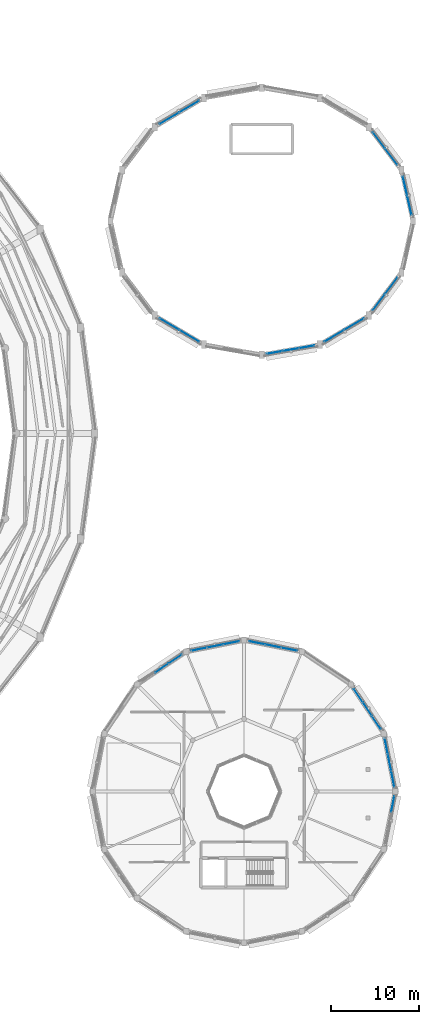
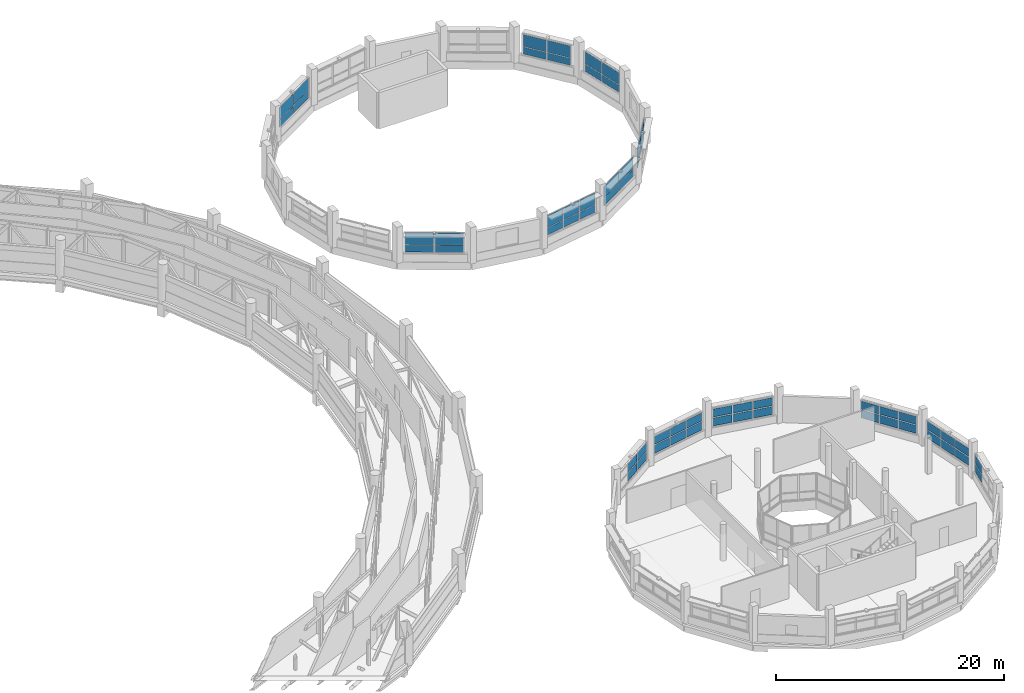
# One storey, part 95 of 121: 60 plates, 13 elements without a shape of their own.
"""IFC4 building model written with IfcOpenShell, lengths in metres."""

from ifc_helpers import new_model, si_unit, direction, frame, origin, origin_2d, place, context, subcontext, project, spatial, rectangle, extrude, material, layer, layer_set, type_object, element, aggregate, save


model = new_model("IFC4")

# Units and contexts
model_context = context("Model", 3, precision=1e-05, world=origin(), true_north=direction((0.0, 1.0)))
body_context = subcontext(model_context, "Body", "Model", "MODEL_VIEW")
ifc_project = project(units=[si_unit("LENGTHUNIT", "METRE"), si_unit("AREAUNIT", "SQUARE_METRE"), si_unit("VOLUMEUNIT", "CUBIC_METRE"), si_unit("PLANEANGLEUNIT", "RADIAN"), si_unit("MASSUNIT", "GRAM", prefix="KILO")], contexts=[model_context])

# Site, building, storey
site_placement = place(None, origin())
site = spatial("IfcSite", under=ifc_project, at=site_placement, CompositionType="ELEMENT")
building_placement = place(site_placement, origin())
building = spatial("IfcBuilding", under=site, at=building_placement, Name="Vespera Passage Community Centre", CompositionType="ELEMENT")
storey_placement = place(building_placement, frame((0.0, 0.0, 8.699951171875)))
storey = spatial("IfcBuildingStorey", under=building, at=storey_placement, Name="L02", CompositionType="ELEMENT", Elevation=8.699951171875)

# Curtain wall, plates
ifc_material_1 = material(Name="Anodized aluminium 6063-T6", Category="aluminium")
ifc_layer_1 = layer(ifc_material_1, 0.159912109375)
ifc_layer_set_1 = layer_set([ifc_layer_1], Name="Anodized aluminium 6063-T6")
curtain_wall_type_1 = type_object("IfcCurtainWallType", Name="CW-108E", PredefinedType="NOTDEFINED", material=ifc_layer_set_1)
curtain_wall_1_placement = place(storey_placement, origin())
curtain_wall_1 = element("IfcCurtainWall", 1, at=curtain_wall_1_placement, inside=storey, type_object=curtain_wall_type_1, Name="Dining Drum Ribbon Curtain Wall L02.1", PredefinedType="NOTDEFINED")
ifc_material_2 = material(Name="Low-E insulated vision glass", Category="glass")
ifc_layer_2 = layer(ifc_material_2, 0.02001953125)
ifc_layer_set_2 = layer_set([ifc_layer_2], Name="Low-E insulated vision glass")
plate_type_1 = type_object("IfcPlateType", Name="PL-CWP-20E", PredefinedType="CURTAIN_PANEL", material=ifc_layer_set_2)
plate_1_placement = place(storey_placement, frame((157.084228515625, 30.1064453125, 0.900146484375), z_axis=(0.0, 0.0, 1.0), x_axis=(0.195096778691, -0.980783996069, 0.0)))
plate_1 = element("IfcPlate", 2, at=plate_1_placement, type_object=plate_type_1, Name="CW-108E panel 1.1", PredefinedType="CURTAIN_PANEL", context=body_context, shape_type="SweptSolid", body=[
    extrude(rectangle(XDim=1.789306640625, YDim=0.02001953125, at=origin_2d()), origin(), (0.0, 0.0, 1.0), 0.857421875),
])
plate_2_placement = place(storey_placement, frame((157.084228515625, 30.1064453125, 1.857666015625), z_axis=(0.0, 0.0, 1.0), x_axis=(0.195096778691, -0.980783996069, 0.0)))
plate_2 = element("IfcPlate", 3, at=plate_2_placement, type_object=plate_type_1, Name="CW-108E panel 1.2", PredefinedType="CURTAIN_PANEL", context=body_context, shape_type="SweptSolid", body=[
    extrude(rectangle(XDim=1.789306640625, YDim=0.02001953125, at=origin_2d()), origin(), (0.0, 0.0, 1.0), 0.857421875),
])
plate_3_placement = place(storey_placement, frame((157.44921875, 28.27197265625, 0.900146484375), z_axis=(0.0, 0.0, 1.0), x_axis=(0.195096778691, -0.980783996069, 0.0)))
plate_3 = element("IfcPlate", 4, at=plate_3_placement, type_object=plate_type_1, Name="CW-108E panel 2.1", PredefinedType="CURTAIN_PANEL", context=body_context, shape_type="SweptSolid", body=[
    extrude(rectangle(XDim=1.82177734375, YDim=0.02001953125, at=origin_2d()), origin(), (0.0, 0.0, 1.0), 0.857421875),
])
plate_4_placement = place(storey_placement, frame((157.44921875, 28.27197265625, 1.857666015625), z_axis=(0.0, 0.0, 1.0), x_axis=(0.195096778691, -0.980783996069, 0.0)))
plate_4 = element("IfcPlate", 5, at=plate_4_placement, type_object=plate_type_1, Name="CW-108E panel 2.2", PredefinedType="CURTAIN_PANEL", context=body_context, shape_type="SweptSolid", body=[
    extrude(rectangle(XDim=1.82177734375, YDim=0.02001953125, at=origin_2d()), origin(), (0.0, 0.0, 1.0), 0.857421875),
])
plate_5_placement = place(storey_placement, frame((157.81396484375, 26.4375, 0.900146484375), z_axis=(0.0, 0.0, 1.0), x_axis=(0.195096778691, -0.980783996069, 0.0)))
plate_5 = element("IfcPlate", 6, at=plate_5_placement, type_object=plate_type_1, Name="CW-108E panel 3.1", PredefinedType="CURTAIN_PANEL", context=body_context, shape_type="SweptSolid", body=[
    extrude(rectangle(XDim=1.789306640625, YDim=0.02001953125, at=origin_2d()), origin(), (0.0, 0.0, 1.0), 0.857421875),
])
plate_6_placement = place(storey_placement, frame((157.81396484375, 26.4375, 1.857666015625), z_axis=(0.0, 0.0, 1.0), x_axis=(0.195096778691, -0.980783996069, 0.0)))
plate_6 = element("IfcPlate", 7, at=plate_6_placement, type_object=plate_type_1, Name="CW-108E panel 3.2", PredefinedType="CURTAIN_PANEL", context=body_context, shape_type="SweptSolid", body=[
    extrude(rectangle(XDim=1.789306640625, YDim=0.02001953125, at=origin_2d()), origin(), (0.0, 0.0, 1.0), 0.857421875),
])
aggregate(curtain_wall_1, [plate_1, plate_2, plate_3, plate_4, plate_5, plate_6])

ifc_material_3 = material(Name="Anodized aluminium 6063-T6", Category="aluminium")
ifc_layer_3 = layer(ifc_material_3, 0.159912109375)
ifc_layer_set_3 = layer_set([ifc_layer_3], Name="Anodized aluminium 6063-T6")
curtain_wall_type_2 = type_object("IfcCurtainWallType", Name="CW-109E", PredefinedType="NOTDEFINED", material=ifc_layer_set_3)
curtain_wall_2_placement = place(storey_placement, origin())
curtain_wall_2 = element("IfcCurtainWall", 8, at=curtain_wall_2_placement, inside=storey, type_object=curtain_wall_type_2, Name="Dining Drum Ribbon Curtain Wall L02.2", PredefinedType="NOTDEFINED")
plate_7_placement = place(storey_placement, frame((153.926025390625, 35.842529296875, 0.900146484375), z_axis=(0.0, 0.0, 1.0), x_axis=(0.555564700918, -0.831473308708, 0.0)))
plate_7 = element("IfcPlate", 9, at=plate_7_placement, type_object=plate_type_1, Name="CW-109E panel 1.1", PredefinedType="CURTAIN_PANEL", context=body_context, shape_type="SweptSolid", body=[
    extrude(rectangle(XDim=1.752685546875, YDim=0.02001953125, at=origin_2d()), origin(), (0.0, 0.0, 1.0), 0.857421875),
])
plate_8_placement = place(storey_placement, frame((153.926025390625, 35.842529296875, 1.857666015625), z_axis=(0.0, 0.0, 1.0), x_axis=(0.555564700918, -0.831473308708, 0.0)))
plate_8 = element("IfcPlate", 10, at=plate_8_placement, type_object=plate_type_1, Name="CW-109E panel 1.2", PredefinedType="CURTAIN_PANEL", context=body_context, shape_type="SweptSolid", body=[
    extrude(rectangle(XDim=1.752685546875, YDim=0.02001953125, at=origin_2d()), origin(), (0.0, 0.0, 1.0), 0.857421875),
])
plate_9_placement = place(storey_placement, frame((154.94482421875, 34.317626953125, 0.900146484375), z_axis=(0.0, 0.0, 1.0), x_axis=(0.555564700918, -0.831473308708, 0.0)))
plate_9 = element("IfcPlate", 11, at=plate_9_placement, type_object=plate_type_1, Name="CW-109E panel 2.1", PredefinedType="CURTAIN_PANEL", context=body_context, shape_type="SweptSolid", body=[
    extrude(rectangle(XDim=1.78515625, YDim=0.02001953125, at=origin_2d()), origin(), (0.0, 0.0, 1.0), 0.857421875),
])
plate_10_placement = place(storey_placement, frame((154.94482421875, 34.317626953125, 1.857666015625), z_axis=(0.0, 0.0, 1.0), x_axis=(0.555564700918, -0.831473308708, 0.0)))
plate_10 = element("IfcPlate", 12, at=plate_10_placement, type_object=plate_type_1, Name="CW-109E panel 2.2", PredefinedType="CURTAIN_PANEL", context=body_context, shape_type="SweptSolid", body=[
    extrude(rectangle(XDim=1.78515625, YDim=0.02001953125, at=origin_2d()), origin(), (0.0, 0.0, 1.0), 0.857421875),
])
plate_11_placement = place(storey_placement, frame((155.963623046875, 32.79296875, 0.900146484375), z_axis=(0.0, 0.0, 1.0), x_axis=(0.555564700918, -0.831473308708, 0.0)))
plate_11 = element("IfcPlate", 13, at=plate_11_placement, type_object=plate_type_1, Name="CW-109E panel 3.1", PredefinedType="CURTAIN_PANEL", context=body_context, shape_type="SweptSolid", body=[
    extrude(rectangle(XDim=1.752685546875, YDim=0.02001953125, at=origin_2d()), origin(), (0.0, 0.0, 1.0), 0.857421875),
])
plate_12_placement = place(storey_placement, frame((155.963623046875, 32.79296875, 1.857666015625), z_axis=(0.0, 0.0, 1.0), x_axis=(0.555564700918, -0.831473308708, 0.0)))
plate_12 = element("IfcPlate", 14, at=plate_12_placement, type_object=plate_type_1, Name="CW-109E panel 3.2", PredefinedType="CURTAIN_PANEL", context=body_context, shape_type="SweptSolid", body=[
    extrude(rectangle(XDim=1.752685546875, YDim=0.02001953125, at=origin_2d()), origin(), (0.0, 0.0, 1.0), 0.857421875),
])
aggregate(curtain_wall_2, [plate_7, plate_8, plate_9, plate_10, plate_11, plate_12])

curtain_wall_3_placement = place(storey_placement, origin())
curtain_wall_3 = element("IfcCurtainWall", 15, at=curtain_wall_3_placement, inside=storey, type_object=curtain_wall_type_1, Name="Dining Drum Ribbon Curtain Wall L02.4", PredefinedType="NOTDEFINED")
plate_13_placement = place(storey_placement, frame((142.4375, 41.81396484375, 0.900146484375), z_axis=(0.0, 0.0, 1.0), x_axis=(0.980783996069, -0.195096778691, 0.0)))
plate_13 = element("IfcPlate", 16, at=plate_13_placement, type_object=plate_type_1, Name="CW-108E panel 1.1", PredefinedType="CURTAIN_PANEL", context=body_context, shape_type="SweptSolid", body=[
    extrude(rectangle(XDim=1.789306640625, YDim=0.02001953125, at=origin_2d()), origin(), (0.0, 0.0, 1.0), 0.857421875),
])
plate_14_placement = place(storey_placement, frame((142.4375, 41.81396484375, 1.857666015625), z_axis=(0.0, 0.0, 1.0), x_axis=(0.980783996069, -0.195096778691, 0.0)))
plate_14 = element("IfcPlate", 17, at=plate_14_placement, type_object=plate_type_1, Name="CW-108E panel 1.2", PredefinedType="CURTAIN_PANEL", context=body_context, shape_type="SweptSolid", body=[
    extrude(rectangle(XDim=1.789306640625, YDim=0.02001953125, at=origin_2d()), origin(), (0.0, 0.0, 1.0), 0.857421875),
])
plate_15_placement = place(storey_placement, frame((144.27197265625, 41.44921875, 0.900146484375), z_axis=(0.0, 0.0, 1.0), x_axis=(0.980783996069, -0.195096778691, 0.0)))
plate_15 = element("IfcPlate", 18, at=plate_15_placement, type_object=plate_type_1, Name="CW-108E panel 2.1", PredefinedType="CURTAIN_PANEL", context=body_context, shape_type="SweptSolid", body=[
    extrude(rectangle(XDim=1.82177734375, YDim=0.02001953125, at=origin_2d()), origin(), (0.0, 0.0, 1.0), 0.857421875),
])
plate_16_placement = place(storey_placement, frame((144.27197265625, 41.44921875, 1.857666015625), z_axis=(0.0, 0.0, 1.0), x_axis=(0.980783996069, -0.195096778691, 0.0)))
plate_16 = element("IfcPlate", 19, at=plate_16_placement, type_object=plate_type_1, Name="CW-108E panel 2.2", PredefinedType="CURTAIN_PANEL", context=body_context, shape_type="SweptSolid", body=[
    extrude(rectangle(XDim=1.82177734375, YDim=0.02001953125, at=origin_2d()), origin(), (0.0, 0.0, 1.0), 0.857421875),
])
plate_17_placement = place(storey_placement, frame((146.1064453125, 41.084228515625, 0.900146484375), z_axis=(0.0, 0.0, 1.0), x_axis=(0.980783996069, -0.195096778691, 0.0)))
plate_17 = element("IfcPlate", 20, at=plate_17_placement, type_object=plate_type_1, Name="CW-108E panel 3.1", PredefinedType="CURTAIN_PANEL", context=body_context, shape_type="SweptSolid", body=[
    extrude(rectangle(XDim=1.789306640625, YDim=0.02001953125, at=origin_2d()), origin(), (0.0, 0.0, 1.0), 0.857421875),
])
plate_18_placement = place(storey_placement, frame((146.1064453125, 41.084228515625, 1.857666015625), z_axis=(0.0, 0.0, 1.0), x_axis=(0.980783996069, -0.195096778691, 0.0)))
plate_18 = element("IfcPlate", 21, at=plate_18_placement, type_object=plate_type_1, Name="CW-108E panel 3.2", PredefinedType="CURTAIN_PANEL", context=body_context, shape_type="SweptSolid", body=[
    extrude(rectangle(XDim=1.789306640625, YDim=0.02001953125, at=origin_2d()), origin(), (0.0, 0.0, 1.0), 0.857421875),
])
aggregate(curtain_wall_3, [plate_13, plate_14, plate_15, plate_16, plate_17, plate_18])

curtain_wall_4_placement = place(storey_placement, origin())
curtain_wall_4 = element("IfcCurtainWall", 22, at=curtain_wall_4_placement, inside=storey, type_object=curtain_wall_type_1, Name="Dining Drum Ribbon Curtain Wall L02.5", PredefinedType="NOTDEFINED")
plate_19_placement = place(storey_placement, frame((135.8935546875, 41.084228515625, 0.900146484375), z_axis=(0.0, 0.0, 1.0), x_axis=(0.980783996069, 0.195096778691, 0.0)))
plate_19 = element("IfcPlate", 23, at=plate_19_placement, type_object=plate_type_1, Name="CW-108E panel 1.1", PredefinedType="CURTAIN_PANEL", context=body_context, shape_type="SweptSolid", body=[
    extrude(rectangle(XDim=1.789306640625, YDim=0.02001953125, at=origin_2d()), origin(), (0.0, 0.0, 1.0), 0.857421875),
])
plate_20_placement = place(storey_placement, frame((135.8935546875, 41.084228515625, 1.857666015625), z_axis=(0.0, 0.0, 1.0), x_axis=(0.980783996069, 0.195096778691, 0.0)))
plate_20 = element("IfcPlate", 24, at=plate_20_placement, type_object=plate_type_1, Name="CW-108E panel 1.2", PredefinedType="CURTAIN_PANEL", context=body_context, shape_type="SweptSolid", body=[
    extrude(rectangle(XDim=1.789306640625, YDim=0.02001953125, at=origin_2d()), origin(), (0.0, 0.0, 1.0), 0.857421875),
])
plate_21_placement = place(storey_placement, frame((137.72802734375, 41.44921875, 0.900146484375), z_axis=(0.0, 0.0, 1.0), x_axis=(0.980783996069, 0.195096778691, 0.0)))
plate_21 = element("IfcPlate", 25, at=plate_21_placement, type_object=plate_type_1, Name="CW-108E panel 2.1", PredefinedType="CURTAIN_PANEL", context=body_context, shape_type="SweptSolid", body=[
    extrude(rectangle(XDim=1.82177734375, YDim=0.02001953125, at=origin_2d()), origin(), (0.0, 0.0, 1.0), 0.857421875),
])
plate_22_placement = place(storey_placement, frame((137.72802734375, 41.44921875, 1.857666015625), z_axis=(0.0, 0.0, 1.0), x_axis=(0.980783996069, 0.195096778691, 0.0)))
plate_22 = element("IfcPlate", 26, at=plate_22_placement, type_object=plate_type_1, Name="CW-108E panel 2.2", PredefinedType="CURTAIN_PANEL", context=body_context, shape_type="SweptSolid", body=[
    extrude(rectangle(XDim=1.82177734375, YDim=0.02001953125, at=origin_2d()), origin(), (0.0, 0.0, 1.0), 0.857421875),
])
plate_23_placement = place(storey_placement, frame((139.5625, 41.81396484375, 0.900146484375), z_axis=(0.0, 0.0, 1.0), x_axis=(0.980783996069, 0.195096778691, 0.0)))
plate_23 = element("IfcPlate", 27, at=plate_23_placement, type_object=plate_type_1, Name="CW-108E panel 3.1", PredefinedType="CURTAIN_PANEL", context=body_context, shape_type="SweptSolid", body=[
    extrude(rectangle(XDim=1.789306640625, YDim=0.02001953125, at=origin_2d()), origin(), (0.0, 0.0, 1.0), 0.857421875),
])
plate_24_placement = place(storey_placement, frame((139.5625, 41.81396484375, 1.857666015625), z_axis=(0.0, 0.0, 1.0), x_axis=(0.980783996069, 0.195096778691, 0.0)))
plate_24 = element("IfcPlate", 28, at=plate_24_placement, type_object=plate_type_1, Name="CW-108E panel 3.2", PredefinedType="CURTAIN_PANEL", context=body_context, shape_type="SweptSolid", body=[
    extrude(rectangle(XDim=1.789306640625, YDim=0.02001953125, at=origin_2d()), origin(), (0.0, 0.0, 1.0), 0.857421875),
])
aggregate(curtain_wall_4, [plate_19, plate_20, plate_21, plate_22, plate_23, plate_24])

curtain_wall_5_placement = place(storey_placement, origin())
curtain_wall_5 = element("IfcCurtainWall", 29, at=curtain_wall_5_placement, inside=storey, type_object=curtain_wall_type_2, Name="Dining Drum Ribbon Curtain Wall L02.6", PredefinedType="NOTDEFINED")
plate_25_placement = place(storey_placement, frame((131.682373046875, 38.94482421875, 0.900146484375), z_axis=(0.0, 0.0, 1.0), x_axis=(0.831473308708, 0.555564700918, 0.0)))
plate_25 = element("IfcPlate", 30, at=plate_25_placement, type_object=plate_type_1, Name="CW-109E panel 2.1", PredefinedType="CURTAIN_PANEL", context=body_context, shape_type="SweptSolid", body=[
    extrude(rectangle(XDim=1.78515625, YDim=0.02001953125, at=origin_2d()), origin(), (0.0, 0.0, 1.0), 0.857421875),
])
plate_26_placement = place(storey_placement, frame((131.682373046875, 38.94482421875, 1.857666015625), z_axis=(0.0, 0.0, 1.0), x_axis=(0.831473308708, 0.555564700918, 0.0)))
plate_26 = element("IfcPlate", 31, at=plate_26_placement, type_object=plate_type_1, Name="CW-109E panel 2.2", PredefinedType="CURTAIN_PANEL", context=body_context, shape_type="SweptSolid", body=[
    extrude(rectangle(XDim=1.78515625, YDim=0.02001953125, at=origin_2d()), origin(), (0.0, 0.0, 1.0), 0.857421875),
])
plate_27_placement = place(storey_placement, frame((133.20703125, 39.963623046875, 0.900146484375), z_axis=(0.0, 0.0, 1.0), x_axis=(0.831473308708, 0.555564700918, 0.0)))
plate_27 = element("IfcPlate", 32, at=plate_27_placement, type_object=plate_type_1, Name="CW-109E panel 3.1", PredefinedType="CURTAIN_PANEL", context=body_context, shape_type="SweptSolid", body=[
    extrude(rectangle(XDim=1.752685546875, YDim=0.02001953125, at=origin_2d()), origin(), (0.0, 0.0, 1.0), 0.857421875),
])
plate_28_placement = place(storey_placement, frame((133.20703125, 39.963623046875, 1.857666015625), z_axis=(0.0, 0.0, 1.0), x_axis=(0.831473308708, 0.555564700918, 0.0)))
plate_28 = element("IfcPlate", 33, at=plate_28_placement, type_object=plate_type_1, Name="CW-109E panel 3.2", PredefinedType="CURTAIN_PANEL", context=body_context, shape_type="SweptSolid", body=[
    extrude(rectangle(XDim=1.752685546875, YDim=0.02001953125, at=origin_2d()), origin(), (0.0, 0.0, 1.0), 0.857421875),
])
aggregate(curtain_wall_5, [plate_25, plate_26, plate_27, plate_28])

curtain_wall_6_placement = place(storey_placement, origin())
curtain_wall_6 = element("IfcCurtainWall", 34, at=curtain_wall_6_placement, inside=storey, type_object=curtain_wall_type_1, Name="Dining Drum Ribbon Curtain Wall L02.16", PredefinedType="NOTDEFINED")
plate_29_placement = place(storey_placement, frame((157.81396484375, 23.5625, 0.900146484375), z_axis=(0.0, 0.0, 1.0), x_axis=(-0.195096778691, -0.980783996069, 0.0)))
plate_29 = element("IfcPlate", 35, at=plate_29_placement, type_object=plate_type_1, Name="CW-108E panel 1.1", PredefinedType="CURTAIN_PANEL", context=body_context, shape_type="SweptSolid", body=[
    extrude(rectangle(XDim=1.789306640625, YDim=0.02001953125, at=origin_2d()), origin(), (0.0, 0.0, 1.0), 0.857421875),
])
plate_30_placement = place(storey_placement, frame((157.81396484375, 23.5625, 1.857666015625), z_axis=(0.0, 0.0, 1.0), x_axis=(-0.195096778691, -0.980783996069, 0.0)))
plate_30 = element("IfcPlate", 36, at=plate_30_placement, type_object=plate_type_1, Name="CW-108E panel 1.2", PredefinedType="CURTAIN_PANEL", context=body_context, shape_type="SweptSolid", body=[
    extrude(rectangle(XDim=1.789306640625, YDim=0.02001953125, at=origin_2d()), origin(), (0.0, 0.0, 1.0), 0.857421875),
])
aggregate(curtain_wall_6, [plate_29, plate_30])

ifc_material_4 = material(Name="Anodized aluminium 6063-T6", Category="aluminium")
ifc_layer_4 = layer(ifc_material_4, 0.159912109375)
ifc_layer_set_4 = layer_set([ifc_layer_4], Name="Anodized aluminium 6063-T6")
curtain_wall_type_3 = type_object("IfcCurtainWallType", Name="CW-97E", PredefinedType="NOTDEFINED", material=ifc_layer_set_4)
curtain_wall_7_placement = place(storey_placement, origin())
curtain_wall_7 = element("IfcCurtainWall", 37, at=curtain_wall_7_placement, inside=storey, type_object=curtain_wall_type_3, Name="Sports Drum Ribbon Curtain Wall L02.1", PredefinedType="NOTDEFINED")
ifc_material_5 = material(Name="Low-E insulated vision glass", Category="glass")
ifc_layer_5 = layer(ifc_material_5, 0.028076171875)
ifc_layer_set_5 = layer_set([ifc_layer_5], Name="Low-E insulated vision glass")
plate_type_2 = type_object("IfcPlateType", Name="PL-CWP-28E", PredefinedType="CURTAIN_PANEL", material=ifc_layer_set_5)
plate_31_placement = place(storey_placement, frame((159.2021484375, 93.48583984375, 0.91015625), z_axis=(0.0, 0.0, 1.0), x_axis=(0.219762591846, -0.975553383073, 0.0)))
plate_31 = element("IfcPlate", 38, at=plate_31_placement, type_object=plate_type_2, Name="CW-97E panel 1.1", PredefinedType="CURTAIN_PANEL", context=body_context, shape_type="SweptSolid", body=[
    extrude(rectangle(XDim=2.1728515625, YDim=0.028076171875, at=origin_2d()), origin(), (0.0, 0.0, 1.0), 0.760009765625),
])
plate_32_placement = place(storey_placement, frame((159.2021484375, 93.48583984375, 1.72998046875), z_axis=(0.0, 0.0, 1.0), x_axis=(0.219762591846, -0.975553383073, 0.0)))
plate_32 = element("IfcPlate", 39, at=plate_32_placement, type_object=plate_type_2, Name="CW-97E panel 1.2", PredefinedType="CURTAIN_PANEL", context=body_context, shape_type="SweptSolid", body=[
    extrude(rectangle(XDim=2.1728515625, YDim=0.028076171875, at=origin_2d()), origin(), (0.0, 0.0, 1.0), 1.27490234375),
])
plate_33_placement = place(storey_placement, frame((159.696044921875, 91.292724609375, 0.91015625), z_axis=(0.0, 0.0, 1.0), x_axis=(0.219762591846, -0.975553383073, 0.0)))
plate_33 = element("IfcPlate", 40, at=plate_33_placement, type_object=plate_type_2, Name="CW-97E panel 2.1", PredefinedType="CURTAIN_PANEL", context=body_context, shape_type="SweptSolid", body=[
    extrude(rectangle(XDim=2.1728515625, YDim=0.028076171875, at=origin_2d()), origin(), (0.0, 0.0, 1.0), 0.760009765625),
])
plate_34_placement = place(storey_placement, frame((159.696044921875, 91.292724609375, 1.72998046875), z_axis=(0.0, 0.0, 1.0), x_axis=(0.219762591846, -0.975553383073, 0.0)))
plate_34 = element("IfcPlate", 41, at=plate_34_placement, type_object=plate_type_2, Name="CW-97E panel 2.2", PredefinedType="CURTAIN_PANEL", context=body_context, shape_type="SweptSolid", body=[
    extrude(rectangle(XDim=2.1728515625, YDim=0.028076171875, at=origin_2d()), origin(), (0.0, 0.0, 1.0), 1.27490234375),
])
aggregate(curtain_wall_7, [plate_31, plate_32, plate_33, plate_34])

ifc_material_6 = material(Name="Anodized aluminium 6063-T6", Category="aluminium")
ifc_layer_6 = layer(ifc_material_6, 0.159912109375)
ifc_layer_set_6 = layer_set([ifc_layer_6], Name="Anodized aluminium 6063-T6")
curtain_wall_type_4 = type_object("IfcCurtainWallType", Name="CW-98E", PredefinedType="NOTDEFINED", material=ifc_layer_set_6)
curtain_wall_8_placement = place(storey_placement, origin())
curtain_wall_8 = element("IfcCurtainWall", 42, at=curtain_wall_8_placement, inside=storey, type_object=curtain_wall_type_4, Name="Sports Drum Ribbon Curtain Wall L02.2", PredefinedType="NOTDEFINED")
plate_35_placement = place(storey_placement, frame((156.244384765625, 98.65380859375, 0.91015625), z_axis=(0.0, 0.0, 1.0), x_axis=(0.603405522961, -0.797434495654, 0.0)))
plate_35 = element("IfcPlate", 43, at=plate_35_placement, type_object=plate_type_2, Name="CW-98E panel 1.1", PredefinedType="CURTAIN_PANEL", context=body_context, shape_type="SweptSolid", body=[
    extrude(rectangle(XDim=2.246826171875, YDim=0.028076171875, at=origin_2d()), origin(), (0.0, 0.0, 1.0), 0.760009765625),
])
plate_36_placement = place(storey_placement, frame((156.244384765625, 98.65380859375, 1.72998046875), z_axis=(0.0, 0.0, 1.0), x_axis=(0.603405522961, -0.797434495654, 0.0)))
plate_36 = element("IfcPlate", 44, at=plate_36_placement, type_object=plate_type_2, Name="CW-98E panel 1.2", PredefinedType="CURTAIN_PANEL", context=body_context, shape_type="SweptSolid", body=[
    extrude(rectangle(XDim=2.246826171875, YDim=0.028076171875, at=origin_2d()), origin(), (0.0, 0.0, 1.0), 1.27490234375),
])
plate_37_placement = place(storey_placement, frame((157.6455078125, 96.802001953125, 0.91015625), z_axis=(0.0, 0.0, 1.0), x_axis=(0.603405522961, -0.797434495654, 0.0)))
plate_37 = element("IfcPlate", 45, at=plate_37_placement, type_object=plate_type_2, Name="CW-98E panel 2.1", PredefinedType="CURTAIN_PANEL", context=body_context, shape_type="SweptSolid", body=[
    extrude(rectangle(XDim=2.246826171875, YDim=0.028076171875, at=origin_2d()), origin(), (0.0, 0.0, 1.0), 0.760009765625),
])
plate_38_placement = place(storey_placement, frame((157.6455078125, 96.802001953125, 1.72998046875), z_axis=(0.0, 0.0, 1.0), x_axis=(0.603405522961, -0.797434495654, 0.0)))
plate_38 = element("IfcPlate", 46, at=plate_38_placement, type_object=plate_type_2, Name="CW-98E panel 2.2", PredefinedType="CURTAIN_PANEL", context=body_context, shape_type="SweptSolid", body=[
    extrude(rectangle(XDim=2.246826171875, YDim=0.028076171875, at=origin_2d()), origin(), (0.0, 0.0, 1.0), 1.27490234375),
])
aggregate(curtain_wall_8, [plate_35, plate_36, plate_37, plate_38])

ifc_material_7 = material(Name="Anodized aluminium 6063-T6", Category="aluminium")
ifc_layer_7 = layer(ifc_material_7, 0.159912109375)
ifc_layer_set_7 = layer_set([ifc_layer_7], Name="Anodized aluminium 6063-T6")
curtain_wall_type_5 = type_object("IfcCurtainWallType", Name="CW-99E", PredefinedType="NOTDEFINED", material=ifc_layer_set_7)
curtain_wall_9_placement = place(storey_placement, origin())
curtain_wall_9 = element("IfcCurtainWall", 47, at=curtain_wall_9_placement, inside=storey, type_object=curtain_wall_type_5, Name="Sports Drum Ribbon Curtain Wall L02.6", PredefinedType="NOTDEFINED")
plate_39_placement = place(storey_placement, frame((132.55419921875, 101.148193359375, 0.91015625), z_axis=(0.0, 0.0, 1.0), x_axis=(0.861256740157, 0.50817007737, 0.0)))
plate_39 = element("IfcPlate", 48, at=plate_39_placement, type_object=plate_type_2, Name="CW-99E panel 1.1", PredefinedType="CURTAIN_PANEL", context=body_context, shape_type="SweptSolid", body=[
    extrude(rectangle(XDim=2.544677734375, YDim=0.028076171875, at=origin_2d()), origin(), (0.0, 0.0, 1.0), 0.760009765625),
])
plate_40_placement = place(storey_placement, frame((132.55419921875, 101.148193359375, 1.72998046875), z_axis=(0.0, 0.0, 1.0), x_axis=(0.861256740157, 0.50817007737, 0.0)))
plate_40 = element("IfcPlate", 49, at=plate_40_placement, type_object=plate_type_2, Name="CW-99E panel 1.2", PredefinedType="CURTAIN_PANEL", context=body_context, shape_type="SweptSolid", body=[
    extrude(rectangle(XDim=2.544677734375, YDim=0.028076171875, at=origin_2d()), origin(), (0.0, 0.0, 1.0), 1.27490234375),
])
plate_41_placement = place(storey_placement, frame((134.810546875, 102.4794921875, 0.91015625), z_axis=(0.0, 0.0, 1.0), x_axis=(0.861256740157, 0.50817007737, 0.0)))
plate_41 = element("IfcPlate", 50, at=plate_41_placement, type_object=plate_type_2, Name="CW-99E panel 2.1", PredefinedType="CURTAIN_PANEL", context=body_context, shape_type="SweptSolid", body=[
    extrude(rectangle(XDim=2.544677734375, YDim=0.028076171875, at=origin_2d()), origin(), (0.0, 0.0, 1.0), 0.760009765625),
])
plate_42_placement = place(storey_placement, frame((134.810546875, 102.4794921875, 1.72998046875), z_axis=(0.0, 0.0, 1.0), x_axis=(0.861256740157, 0.50817007737, 0.0)))
plate_42 = element("IfcPlate", 51, at=plate_42_placement, type_object=plate_type_2, Name="CW-99E panel 2.2", PredefinedType="CURTAIN_PANEL", context=body_context, shape_type="SweptSolid", body=[
    extrude(rectangle(XDim=2.544677734375, YDim=0.028076171875, at=origin_2d()), origin(), (0.0, 0.0, 1.0), 1.27490234375),
])
aggregate(curtain_wall_9, [plate_39, plate_40, plate_41, plate_42])

curtain_wall_10_placement = place(storey_placement, origin())
curtain_wall_10 = element("IfcCurtainWall", 52, at=curtain_wall_10_placement, inside=storey, type_object=curtain_wall_type_5, Name="Sports Drum Ribbon Curtain Wall L02.11", PredefinedType="NOTDEFINED")
plate_43_placement = place(storey_placement, frame((134.810546875, 76.5205078125, 0.91015625), z_axis=(0.0, 0.0, 1.0), x_axis=(-0.861256740157, 0.50817007737, 0.0)))
plate_43 = element("IfcPlate", 53, at=plate_43_placement, type_object=plate_type_2, Name="CW-99E panel 1.1", PredefinedType="CURTAIN_PANEL", context=body_context, shape_type="SweptSolid", body=[
    extrude(rectangle(XDim=2.544677734375, YDim=0.028076171875, at=origin_2d()), origin(), (0.0, 0.0, 1.0), 0.760009765625),
])
plate_44_placement = place(storey_placement, frame((134.810546875, 76.5205078125, 1.72998046875), z_axis=(0.0, 0.0, 1.0), x_axis=(-0.861256740157, 0.50817007737, 0.0)))
plate_44 = element("IfcPlate", 54, at=plate_44_placement, type_object=plate_type_2, Name="CW-99E panel 1.2", PredefinedType="CURTAIN_PANEL", context=body_context, shape_type="SweptSolid", body=[
    extrude(rectangle(XDim=2.544677734375, YDim=0.028076171875, at=origin_2d()), origin(), (0.0, 0.0, 1.0), 1.27490234375),
])
plate_45_placement = place(storey_placement, frame((132.55419921875, 77.851806640625, 0.91015625), z_axis=(0.0, 0.0, 1.0), x_axis=(-0.861256740157, 0.50817007737, 0.0)))
plate_45 = element("IfcPlate", 55, at=plate_45_placement, type_object=plate_type_2, Name="CW-99E panel 2.1", PredefinedType="CURTAIN_PANEL", context=body_context, shape_type="SweptSolid", body=[
    extrude(rectangle(XDim=2.544677734375, YDim=0.028076171875, at=origin_2d()), origin(), (0.0, 0.0, 1.0), 0.760009765625),
])
plate_46_placement = place(storey_placement, frame((132.55419921875, 77.851806640625, 1.72998046875), z_axis=(0.0, 0.0, 1.0), x_axis=(-0.861256740157, 0.50817007737, 0.0)))
plate_46 = element("IfcPlate", 56, at=plate_46_placement, type_object=plate_type_2, Name="CW-99E panel 2.2", PredefinedType="CURTAIN_PANEL", context=body_context, shape_type="SweptSolid", body=[
    extrude(rectangle(XDim=2.544677734375, YDim=0.028076171875, at=origin_2d()), origin(), (0.0, 0.0, 1.0), 1.27490234375),
])
aggregate(curtain_wall_10, [plate_43, plate_44, plate_45, plate_46])

ifc_material_8 = material(Name="Anodized aluminium 6063-T6", Category="aluminium")
ifc_layer_8 = layer(ifc_material_8, 0.159912109375)
ifc_layer_set_8 = layer_set([ifc_layer_8], Name="Anodized aluminium 6063-T6")
curtain_wall_type_6 = type_object("IfcCurtainWallType", Name="CW-100E", PredefinedType="NOTDEFINED", material=ifc_layer_set_8)
curtain_wall_11_placement = place(storey_placement, origin())
curtain_wall_11 = element("IfcCurtainWall", 57, at=curtain_wall_11_placement, inside=storey, type_object=curtain_wall_type_6, Name="Sports Drum Ribbon Curtain Wall L02.13", PredefinedType="NOTDEFINED")
plate_47_placement = place(storey_placement, frame((148.093505859375, 75.294677734375, 0.91015625), z_axis=(0.0, 0.0, 1.0), x_axis=(-0.984922802731, -0.172994429562, 0.0)))
plate_47 = element("IfcPlate", 58, at=plate_47_placement, type_object=plate_type_2, Name="CW-100E panel 1.1", PredefinedType="CURTAIN_PANEL", context=body_context, shape_type="SweptSolid", body=[
    extrude(rectangle(XDim=1.755859375, YDim=0.028076171875, at=origin_2d()), origin(), (0.0, 0.0, 1.0), 0.760009765625),
])
plate_48_placement = place(storey_placement, frame((148.093505859375, 75.294677734375, 1.72998046875), z_axis=(0.0, 0.0, 1.0), x_axis=(-0.984922802731, -0.172994429562, 0.0)))
plate_48 = element("IfcPlate", 59, at=plate_48_placement, type_object=plate_type_2, Name="CW-100E panel 1.2", PredefinedType="CURTAIN_PANEL", context=body_context, shape_type="SweptSolid", body=[
    extrude(rectangle(XDim=1.755859375, YDim=0.028076171875, at=origin_2d()), origin(), (0.0, 0.0, 1.0), 1.27490234375),
])
plate_49_placement = place(storey_placement, frame((146.27197265625, 74.974609375, 0.91015625), z_axis=(0.0, 0.0, 1.0), x_axis=(-0.984922802731, -0.172994429562, 0.0)))
plate_49 = element("IfcPlate", 60, at=plate_49_placement, type_object=plate_type_2, Name="CW-100E panel 2.1", PredefinedType="CURTAIN_PANEL", context=body_context, shape_type="SweptSolid", body=[
    extrude(rectangle(XDim=1.793212890625, YDim=0.028076171875, at=origin_2d()), origin(), (0.0, 0.0, 1.0), 0.760009765625),
])
plate_50_placement = place(storey_placement, frame((146.27197265625, 74.974609375, 1.72998046875), z_axis=(0.0, 0.0, 1.0), x_axis=(-0.984922802731, -0.172994429562, 0.0)))
plate_50 = element("IfcPlate", 61, at=plate_50_placement, type_object=plate_type_2, Name="CW-100E panel 2.2", PredefinedType="CURTAIN_PANEL", context=body_context, shape_type="SweptSolid", body=[
    extrude(rectangle(XDim=1.793212890625, YDim=0.028076171875, at=origin_2d()), origin(), (0.0, 0.0, 1.0), 1.27490234375),
])
plate_51_placement = place(storey_placement, frame((144.4501953125, 74.65478515625, 0.91015625), z_axis=(0.0, 0.0, 1.0), x_axis=(-0.984922802731, -0.172994429562, 0.0)))
plate_51 = element("IfcPlate", 62, at=plate_51_placement, type_object=plate_type_2, Name="CW-100E panel 3.1", PredefinedType="CURTAIN_PANEL", context=body_context, shape_type="SweptSolid", body=[
    extrude(rectangle(XDim=1.755859375, YDim=0.028076171875, at=origin_2d()), origin(), (0.0, 0.0, 1.0), 0.760009765625),
])
plate_52_placement = place(storey_placement, frame((144.4501953125, 74.65478515625, 1.72998046875), z_axis=(0.0, 0.0, 1.0), x_axis=(-0.984922802731, -0.172994429562, 0.0)))
plate_52 = element("IfcPlate", 63, at=plate_52_placement, type_object=plate_type_2, Name="CW-100E panel 3.2", PredefinedType="CURTAIN_PANEL", context=body_context, shape_type="SweptSolid", body=[
    extrude(rectangle(XDim=1.755859375, YDim=0.028076171875, at=origin_2d()), origin(), (0.0, 0.0, 1.0), 1.27490234375),
])
aggregate(curtain_wall_11, [plate_47, plate_48, plate_49, plate_50, plate_51, plate_52])

curtain_wall_12_placement = place(storey_placement, origin())
curtain_wall_12 = element("IfcCurtainWall", 64, at=curtain_wall_12_placement, inside=storey, type_object=curtain_wall_type_5, Name="Sports Drum Ribbon Curtain Wall L02.14", PredefinedType="NOTDEFINED")
plate_53_placement = place(storey_placement, frame((153.44580078125, 77.851806640625, 0.91015625), z_axis=(0.0, 0.0, 1.0), x_axis=(-0.861256740157, -0.50817007737, 0.0)))
plate_53 = element("IfcPlate", 65, at=plate_53_placement, type_object=plate_type_2, Name="CW-99E panel 1.1", PredefinedType="CURTAIN_PANEL", context=body_context, shape_type="SweptSolid", body=[
    extrude(rectangle(XDim=2.544677734375, YDim=0.028076171875, at=origin_2d()), origin(), (0.0, 0.0, 1.0), 0.760009765625),
])
plate_54_placement = place(storey_placement, frame((153.44580078125, 77.851806640625, 1.72998046875), z_axis=(0.0, 0.0, 1.0), x_axis=(-0.861256740157, -0.50817007737, 0.0)))
plate_54 = element("IfcPlate", 66, at=plate_54_placement, type_object=plate_type_2, Name="CW-99E panel 1.2", PredefinedType="CURTAIN_PANEL", context=body_context, shape_type="SweptSolid", body=[
    extrude(rectangle(XDim=2.544677734375, YDim=0.028076171875, at=origin_2d()), origin(), (0.0, 0.0, 1.0), 1.27490234375),
])
plate_55_placement = place(storey_placement, frame((151.189453125, 76.5205078125, 0.91015625), z_axis=(0.0, 0.0, 1.0), x_axis=(-0.861256740157, -0.50817007737, 0.0)))
plate_55 = element("IfcPlate", 67, at=plate_55_placement, type_object=plate_type_2, Name="CW-99E panel 2.1", PredefinedType="CURTAIN_PANEL", context=body_context, shape_type="SweptSolid", body=[
    extrude(rectangle(XDim=2.544677734375, YDim=0.028076171875, at=origin_2d()), origin(), (0.0, 0.0, 1.0), 0.760009765625),
])
plate_56_placement = place(storey_placement, frame((151.189453125, 76.5205078125, 1.72998046875), z_axis=(0.0, 0.0, 1.0), x_axis=(-0.861256740157, -0.50817007737, 0.0)))
plate_56 = element("IfcPlate", 68, at=plate_56_placement, type_object=plate_type_2, Name="CW-99E panel 2.2", PredefinedType="CURTAIN_PANEL", context=body_context, shape_type="SweptSolid", body=[
    extrude(rectangle(XDim=2.544677734375, YDim=0.028076171875, at=origin_2d()), origin(), (0.0, 0.0, 1.0), 1.27490234375),
])
aggregate(curtain_wall_12, [plate_53, plate_54, plate_55, plate_56])

curtain_wall_13_placement = place(storey_placement, origin())
curtain_wall_13 = element("IfcCurtainWall", 69, at=curtain_wall_13_placement, inside=storey, type_object=curtain_wall_type_4, Name="Sports Drum Ribbon Curtain Wall L02.15", PredefinedType="NOTDEFINED")
plate_57_placement = place(storey_placement, frame((157.6455078125, 82.197998046875, 0.91015625), z_axis=(0.0, 0.0, 1.0), x_axis=(-0.603405522961, -0.797434495654, 0.0)))
plate_57 = element("IfcPlate", 70, at=plate_57_placement, type_object=plate_type_2, Name="CW-98E panel 1.1", PredefinedType="CURTAIN_PANEL", context=body_context, shape_type="SweptSolid", body=[
    extrude(rectangle(XDim=2.246826171875, YDim=0.028076171875, at=origin_2d()), origin(), (0.0, 0.0, 1.0), 0.760009765625),
])
plate_58_placement = place(storey_placement, frame((157.6455078125, 82.197998046875, 1.72998046875), z_axis=(0.0, 0.0, 1.0), x_axis=(-0.603405522961, -0.797434495654, 0.0)))
plate_58 = element("IfcPlate", 71, at=plate_58_placement, type_object=plate_type_2, Name="CW-98E panel 1.2", PredefinedType="CURTAIN_PANEL", context=body_context, shape_type="SweptSolid", body=[
    extrude(rectangle(XDim=2.246826171875, YDim=0.028076171875, at=origin_2d()), origin(), (0.0, 0.0, 1.0), 1.27490234375),
])
plate_59_placement = place(storey_placement, frame((156.244384765625, 80.34619140625, 0.91015625), z_axis=(0.0, 0.0, 1.0), x_axis=(-0.603405522961, -0.797434495654, 0.0)))
plate_59 = element("IfcPlate", 72, at=plate_59_placement, type_object=plate_type_2, Name="CW-98E panel 2.1", PredefinedType="CURTAIN_PANEL", context=body_context, shape_type="SweptSolid", body=[
    extrude(rectangle(XDim=2.246826171875, YDim=0.028076171875, at=origin_2d()), origin(), (0.0, 0.0, 1.0), 0.760009765625),
])
plate_60_placement = place(storey_placement, frame((156.244384765625, 80.34619140625, 1.72998046875), z_axis=(0.0, 0.0, 1.0), x_axis=(-0.603405522961, -0.797434495654, 0.0)))
plate_60 = element("IfcPlate", 73, at=plate_60_placement, type_object=plate_type_2, Name="CW-98E panel 2.2", PredefinedType="CURTAIN_PANEL", context=body_context, shape_type="SweptSolid", body=[
    extrude(rectangle(XDim=2.246826171875, YDim=0.028076171875, at=origin_2d()), origin(), (0.0, 0.0, 1.0), 1.27490234375),
])
aggregate(curtain_wall_13, [plate_57, plate_58, plate_59, plate_60])

save(model, "model.ifc")
